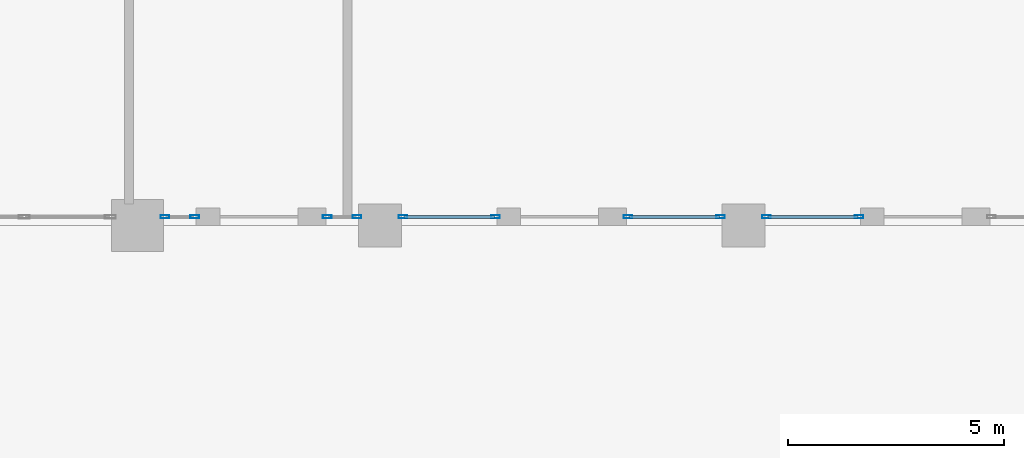
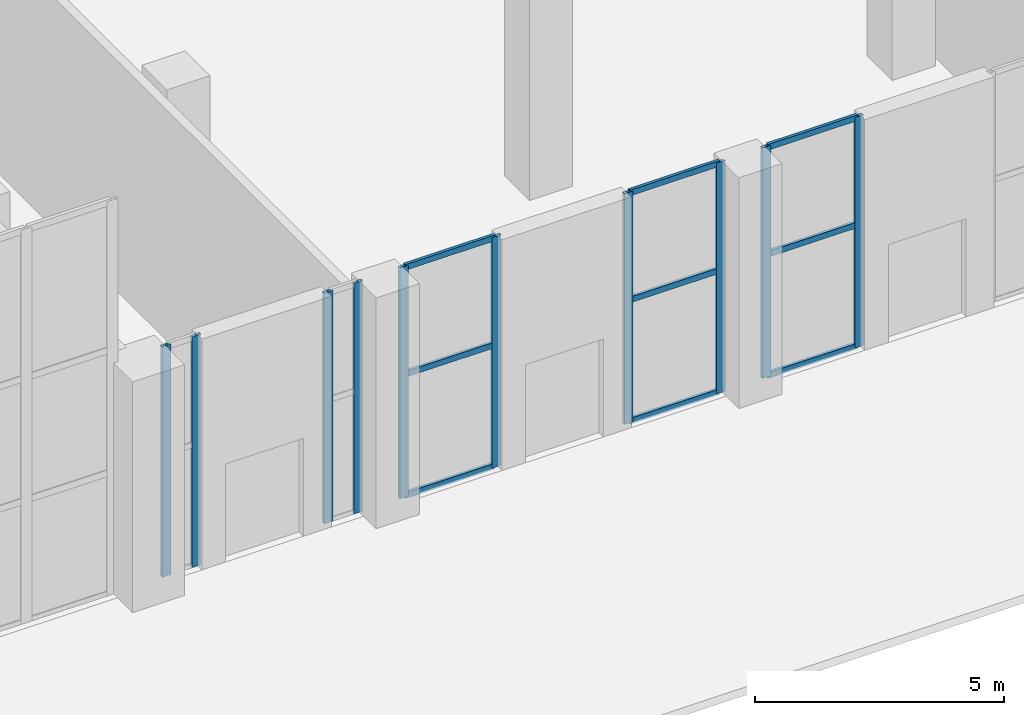
# One storey, part 6 of 25: 19 members, 5 elements without a shape of their own.
"""IFC4 building model written with IfcOpenShell, lengths in metres."""

from ifc_helpers import new_model, si_unit, direction, frame, origin, origin_2d, place, context, subcontext, project, spatial, hollow_rectangle, extrude, material, material_profile, profile_set, type_object, element, aggregate, save


model = new_model("IFC4")

# Units and contexts
model_context = context("Model", 3, precision=1e-05, world=origin(), true_north=direction((0.0, 1.0)))
body_context = subcontext(model_context, "Body", "Model", "MODEL_VIEW")
ifc_project = project(units=[si_unit("LENGTHUNIT", "METRE"), si_unit("AREAUNIT", "SQUARE_METRE"), si_unit("VOLUMEUNIT", "CUBIC_METRE"), si_unit("PLANEANGLEUNIT", "RADIAN"), si_unit("MASSUNIT", "GRAM", prefix="KILO")], contexts=[model_context])

# Site, building, storey
site_placement = place(None, origin())
site = spatial("IfcSite", under=ifc_project, at=site_placement, CompositionType="ELEMENT")
building_placement = place(site_placement, origin())
building = spatial("IfcBuilding", under=site, at=building_placement, Name="Ostrander Bayou Hotel Tower", CompositionType="ELEMENT")
storey_placement = place(building_placement, origin())
storey = spatial("IfcBuildingStorey", under=building, at=storey_placement, Name="L00", CompositionType="ELEMENT", Elevation=0.0)

# Curtain wall, members
ifc_material_1 = material(Name="Aluminium and clear glass", Category="aluminium")
curtain_wall_type = type_object("IfcCurtainWallType", Name="CW-LOBBY glazed wall", PredefinedType="NOTDEFINED", material=ifc_material_1)
curtain_wall_1_placement = place(storey_placement, origin())
curtain_wall_1 = element("IfcCurtainWall", 1, at=curtain_wall_1_placement, inside=storey, type_object=curtain_wall_type, Name="CW-LOBBY L00:3:B", PredefinedType="NOTDEFINED")
ifc_material_2 = material(Name="Aluminium", Category="aluminium")
ifc_material_profile_1 = material_profile(ifc_material_2, hollow_rectangle(XDim=0.070068359375, YDim=0.199951171875, WallThickness=0.00390625, at=origin_2d()))
ifc_profile_set_1 = profile_set([ifc_material_profile_1], Name="Aluminium")
member_type_1 = type_object("IfcMemberType", Name="CW-LO mullion 70 x 200 mm", PredefinedType="MULLION", material=ifc_profile_set_1)
member_1_placement = place(storey_placement, frame((2.669921875, -50.199951171875, 0.0), z_axis=(0.0, 0.0, 1.0), x_axis=(0.0, -1.0, 0.0)))
member_1 = element("IfcMember", 2, at=member_1_placement, type_object=member_type_1, Name="CW-LOBBY mullion 1", PredefinedType="MULLION", context=body_context, shape_type="SweptSolid", body=[
    extrude(hollow_rectangle(XDim=0.070068359375, YDim=0.199951171875, WallThickness=0.00390625, at=origin_2d()), origin(), (0.0, 0.0, 1.0), 5.64990234375),
])
member_2_placement = place(storey_placement, frame((0.530029296875, -50.199951171875, 0.0), z_axis=(0.0, 0.0, 1.0), x_axis=(0.0, -1.0, 0.0)))
member_2 = element("IfcMember", 3, at=member_2_placement, type_object=member_type_1, Name="CW-LOBBY mullion 2", PredefinedType="MULLION", context=body_context, shape_type="SweptSolid", body=[
    extrude(hollow_rectangle(XDim=0.070068359375, YDim=0.199951171875, WallThickness=0.00390625, at=origin_2d()), origin(), (0.0, 0.0, 1.0), 5.64990234375),
])

curtain_wall_2_placement = place(storey_placement, origin())
curtain_wall_2 = element("IfcCurtainWall", 4, at=curtain_wall_2_placement, inside=storey, type_object=curtain_wall_type, Name="CW-LOBBY L00:4:A", PredefinedType="NOTDEFINED")
member_3_placement = place(storey_placement, frame((-0.530029296875, -50.199951171875, 0.0), z_axis=(0.0, 0.0, 1.0), x_axis=(0.0, -1.0, 0.0)))
member_3 = element("IfcMember", 5, at=member_3_placement, type_object=member_type_1, Name="CW-LOBBY mullion 1", PredefinedType="MULLION", context=body_context, shape_type="SweptSolid", body=[
    extrude(hollow_rectangle(XDim=0.070068359375, YDim=0.199951171875, WallThickness=0.00390625, at=origin_2d()), origin(), (0.0, 0.0, 1.0), 5.64990234375),
])
member_4_placement = place(storey_placement, frame((-2.669921875, -50.199951171875, 0.0), z_axis=(0.0, 0.0, 1.0), x_axis=(0.0, -1.0, 0.0)))
member_4 = element("IfcMember", 6, at=member_4_placement, type_object=member_type_1, Name="CW-LOBBY mullion 2", PredefinedType="MULLION", context=body_context, shape_type="SweptSolid", body=[
    extrude(hollow_rectangle(XDim=0.070068359375, YDim=0.199951171875, WallThickness=0.00390625, at=origin_2d()), origin(), (0.0, 0.0, 1.0), 5.64990234375),
])

curtain_wall_3_placement = place(storey_placement, origin())
curtain_wall_3 = element("IfcCurtainWall", 7, at=curtain_wall_3_placement, inside=storey, type_object=curtain_wall_type, Name="CW-LOBBY L00:4:B", PredefinedType="NOTDEFINED")
member_5_placement = place(storey_placement, frame((-5.72998046875, -50.199951171875, 0.0), z_axis=(0.0, 0.0, 1.0), x_axis=(0.0, -1.0, 0.0)))
member_5 = element("IfcMember", 8, at=member_5_placement, type_object=member_type_1, Name="CW-LOBBY mullion 1", PredefinedType="MULLION", context=body_context, shape_type="SweptSolid", body=[
    extrude(hollow_rectangle(XDim=0.070068359375, YDim=0.199951171875, WallThickness=0.00390625, at=origin_2d()), origin(), (0.0, 0.0, 1.0), 5.64990234375),
])
member_6_placement = place(storey_placement, frame((-7.8701171875, -50.199951171875, 0.0), z_axis=(0.0, 0.0, 1.0), x_axis=(0.0, -1.0, 0.0)))
member_6 = element("IfcMember", 9, at=member_6_placement, type_object=member_type_1, Name="CW-LOBBY mullion 2", PredefinedType="MULLION", context=body_context, shape_type="SweptSolid", body=[
    extrude(hollow_rectangle(XDim=0.070068359375, YDim=0.199951171875, WallThickness=0.00390625, at=origin_2d()), origin(), (0.0, 0.0, 1.0), 5.64990234375),
])

curtain_wall_4_placement = place(storey_placement, origin())
curtain_wall_4 = element("IfcCurtainWall", 10, at=curtain_wall_4_placement, inside=storey, type_object=curtain_wall_type, Name="CW-LOBBY L00:5:A", PredefinedType="NOTDEFINED")
member_7_placement = place(storey_placement, frame((-8.929931640625, -50.199951171875, 0.0), z_axis=(0.0, 0.0, 1.0), x_axis=(0.0, -1.0, 0.0)))
member_7 = element("IfcMember", 11, at=member_7_placement, type_object=member_type_1, Name="CW-LOBBY mullion 1", PredefinedType="MULLION", context=body_context, shape_type="SweptSolid", body=[
    extrude(hollow_rectangle(XDim=0.070068359375, YDim=0.199951171875, WallThickness=0.00390625, at=origin_2d()), origin(), (0.0, 0.0, 1.0), 5.64990234375),
])
member_8_placement = place(storey_placement, frame((-9.6201171875, -50.199951171875, 0.0), z_axis=(0.0, 0.0, 1.0), x_axis=(0.0, -1.0, 0.0)))
member_8 = element("IfcMember", 12, at=member_8_placement, type_object=member_type_1, Name="CW-LOBBY mullion 2", PredefinedType="MULLION", context=body_context, shape_type="SweptSolid", body=[
    extrude(hollow_rectangle(XDim=0.070068359375, YDim=0.199951171875, WallThickness=0.00390625, at=origin_2d()), origin(), (0.0, 0.0, 1.0), 5.64990234375),
])
aggregate(curtain_wall_4, [member_7, member_8])

curtain_wall_5_placement = place(storey_placement, origin())
curtain_wall_5 = element("IfcCurtainWall", 13, at=curtain_wall_5_placement, inside=storey, type_object=curtain_wall_type, Name="CW-LOBBY L00:5:B", PredefinedType="NOTDEFINED")
member_9_placement = place(storey_placement, frame((-12.679931640625, -50.199951171875, 0.0), z_axis=(0.0, 0.0, 1.0), x_axis=(0.0, -1.0, 0.0)))
member_9 = element("IfcMember", 14, at=member_9_placement, type_object=member_type_1, Name="CW-LOBBY mullion 1", PredefinedType="MULLION", context=body_context, shape_type="SweptSolid", body=[
    extrude(hollow_rectangle(XDim=0.070068359375, YDim=0.199951171875, WallThickness=0.00390625, at=origin_2d()), origin(), (0.0, 0.0, 1.0), 5.64990234375),
])
member_10_placement = place(storey_placement, frame((-13.3701171875, -50.199951171875, 0.0), z_axis=(0.0, 0.0, 1.0), x_axis=(0.0, -1.0, 0.0)))
member_10 = element("IfcMember", 15, at=member_10_placement, type_object=member_type_1, Name="CW-LOBBY mullion 2", PredefinedType="MULLION", context=body_context, shape_type="SweptSolid", body=[
    extrude(hollow_rectangle(XDim=0.070068359375, YDim=0.199951171875, WallThickness=0.00390625, at=origin_2d()), origin(), (0.0, 0.0, 1.0), 5.64990234375),
])
aggregate(curtain_wall_5, [member_9, member_10])

# Member
ifc_material_3 = material(Name="Aluminium", Category="aluminium")
ifc_material_profile_2 = material_profile(ifc_material_3, hollow_rectangle(XDim=0.070068359375, YDim=0.139892578125, WallThickness=0.00390625, at=origin_2d()))
ifc_profile_set_2 = profile_set([ifc_material_profile_2], Name="Aluminium")
member_type_2 = type_object("IfcMemberType", Name="CW-LO transom 70 x 140 mm", PredefinedType="USERDEFINED", material=ifc_profile_set_2)
member_11_placement = place(storey_placement, frame((2.639892578125, -50.199951171875, 0.030029296875), z_axis=(-1.0, 0.0, 0.0), x_axis=(0.0, -1.0, 0.0)))
member_11 = element("IfcMember", 16, at=member_11_placement, type_object=member_type_2, Name="CW-LOBBY transom 1.1", ObjectType="TRANSOM", PredefinedType="USERDEFINED", context=body_context, shape_type="SweptSolid", body=[
    extrude(hollow_rectangle(XDim=0.070068359375, YDim=0.139892578125, WallThickness=0.00390625, at=origin_2d()), origin(), (0.0, 0.0, 1.0), 2.079833984375),
])

member_12_placement = place(storey_placement, frame((2.639892578125, -50.199951171875, 3.0), z_axis=(-1.0, 0.0, 0.0), x_axis=(0.0, -1.0, 0.0)))
member_12 = element("IfcMember", 17, at=member_12_placement, type_object=member_type_2, Name="CW-LOBBY transom 1.2", ObjectType="TRANSOM", PredefinedType="USERDEFINED", context=body_context, shape_type="SweptSolid", body=[
    extrude(hollow_rectangle(XDim=0.070068359375, YDim=0.139892578125, WallThickness=0.00390625, at=origin_2d()), origin(), (0.0, 0.0, 1.0), 2.079833984375),
])

member_13_placement = place(storey_placement, frame((2.639892578125, -50.199951171875, 5.6201171875), z_axis=(-1.0, 0.0, 0.0), x_axis=(0.0, -1.0, 0.0)))
member_13 = element("IfcMember", 18, at=member_13_placement, type_object=member_type_2, Name="CW-LOBBY transom 1.3", ObjectType="TRANSOM", PredefinedType="USERDEFINED", context=body_context, shape_type="SweptSolid", body=[
    extrude(hollow_rectangle(XDim=0.070068359375, YDim=0.139892578125, WallThickness=0.00390625, at=origin_2d()), origin(), (0.0, 0.0, 1.0), 2.079833984375),
])

aggregate(curtain_wall_1, [member_1, member_2, member_11, member_12, member_13])

member_14_placement = place(storey_placement, frame((-0.56005859375, -50.199951171875, 0.030029296875), z_axis=(-1.0, 0.0, 0.0), x_axis=(0.0, -1.0, 0.0)))
member_14 = element("IfcMember", 19, at=member_14_placement, type_object=member_type_2, Name="CW-LOBBY transom 1.1", ObjectType="TRANSOM", PredefinedType="USERDEFINED", context=body_context, shape_type="SweptSolid", body=[
    extrude(hollow_rectangle(XDim=0.070068359375, YDim=0.139892578125, WallThickness=0.00390625, at=origin_2d()), origin(), (0.0, 0.0, 1.0), 2.079833984375),
])

member_15_placement = place(storey_placement, frame((-0.56005859375, -50.199951171875, 3.0), z_axis=(-1.0, 0.0, 0.0), x_axis=(0.0, -1.0, 0.0)))
member_15 = element("IfcMember", 20, at=member_15_placement, type_object=member_type_2, Name="CW-LOBBY transom 1.2", ObjectType="TRANSOM", PredefinedType="USERDEFINED", context=body_context, shape_type="SweptSolid", body=[
    extrude(hollow_rectangle(XDim=0.070068359375, YDim=0.139892578125, WallThickness=0.00390625, at=origin_2d()), origin(), (0.0, 0.0, 1.0), 2.079833984375),
])

member_16_placement = place(storey_placement, frame((-0.56005859375, -50.199951171875, 5.6201171875), z_axis=(-1.0, 0.0, 0.0), x_axis=(0.0, -1.0, 0.0)))
member_16 = element("IfcMember", 21, at=member_16_placement, type_object=member_type_2, Name="CW-LOBBY transom 1.3", ObjectType="TRANSOM", PredefinedType="USERDEFINED", context=body_context, shape_type="SweptSolid", body=[
    extrude(hollow_rectangle(XDim=0.070068359375, YDim=0.139892578125, WallThickness=0.00390625, at=origin_2d()), origin(), (0.0, 0.0, 1.0), 2.079833984375),
])

aggregate(curtain_wall_2, [member_3, member_4, member_14, member_15, member_16])

member_17_placement = place(storey_placement, frame((-5.760009765625, -50.199951171875, 0.030029296875), z_axis=(-1.0, 0.0, 0.0), x_axis=(0.0, -1.0, 0.0)))
member_17 = element("IfcMember", 22, at=member_17_placement, type_object=member_type_2, Name="CW-LOBBY transom 1.1", ObjectType="TRANSOM", PredefinedType="USERDEFINED", context=body_context, shape_type="SweptSolid", body=[
    extrude(hollow_rectangle(XDim=0.070068359375, YDim=0.139892578125, WallThickness=0.00390625, at=origin_2d()), origin(), (0.0, 0.0, 1.0), 2.080078125),
])

member_18_placement = place(storey_placement, frame((-5.760009765625, -50.199951171875, 3.0), z_axis=(-1.0, 0.0, 0.0), x_axis=(0.0, -1.0, 0.0)))
member_18 = element("IfcMember", 23, at=member_18_placement, type_object=member_type_2, Name="CW-LOBBY transom 1.2", ObjectType="TRANSOM", PredefinedType="USERDEFINED", context=body_context, shape_type="SweptSolid", body=[
    extrude(hollow_rectangle(XDim=0.070068359375, YDim=0.139892578125, WallThickness=0.00390625, at=origin_2d()), origin(), (0.0, 0.0, 1.0), 2.080078125),
])

member_19_placement = place(storey_placement, frame((-5.760009765625, -50.199951171875, 5.6201171875), z_axis=(-1.0, 0.0, 0.0), x_axis=(0.0, -1.0, 0.0)))
member_19 = element("IfcMember", 24, at=member_19_placement, type_object=member_type_2, Name="CW-LOBBY transom 1.3", ObjectType="TRANSOM", PredefinedType="USERDEFINED", context=body_context, shape_type="SweptSolid", body=[
    extrude(hollow_rectangle(XDim=0.070068359375, YDim=0.139892578125, WallThickness=0.00390625, at=origin_2d()), origin(), (0.0, 0.0, 1.0), 2.080078125),
])

aggregate(curtain_wall_3, [member_5, member_6, member_17, member_18, member_19])

save(model, "model.ifc")
